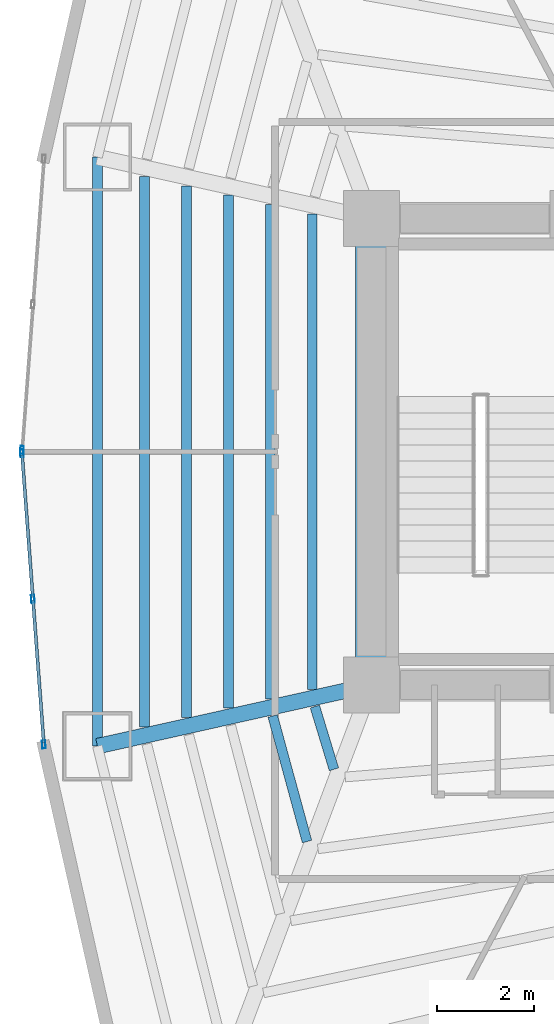
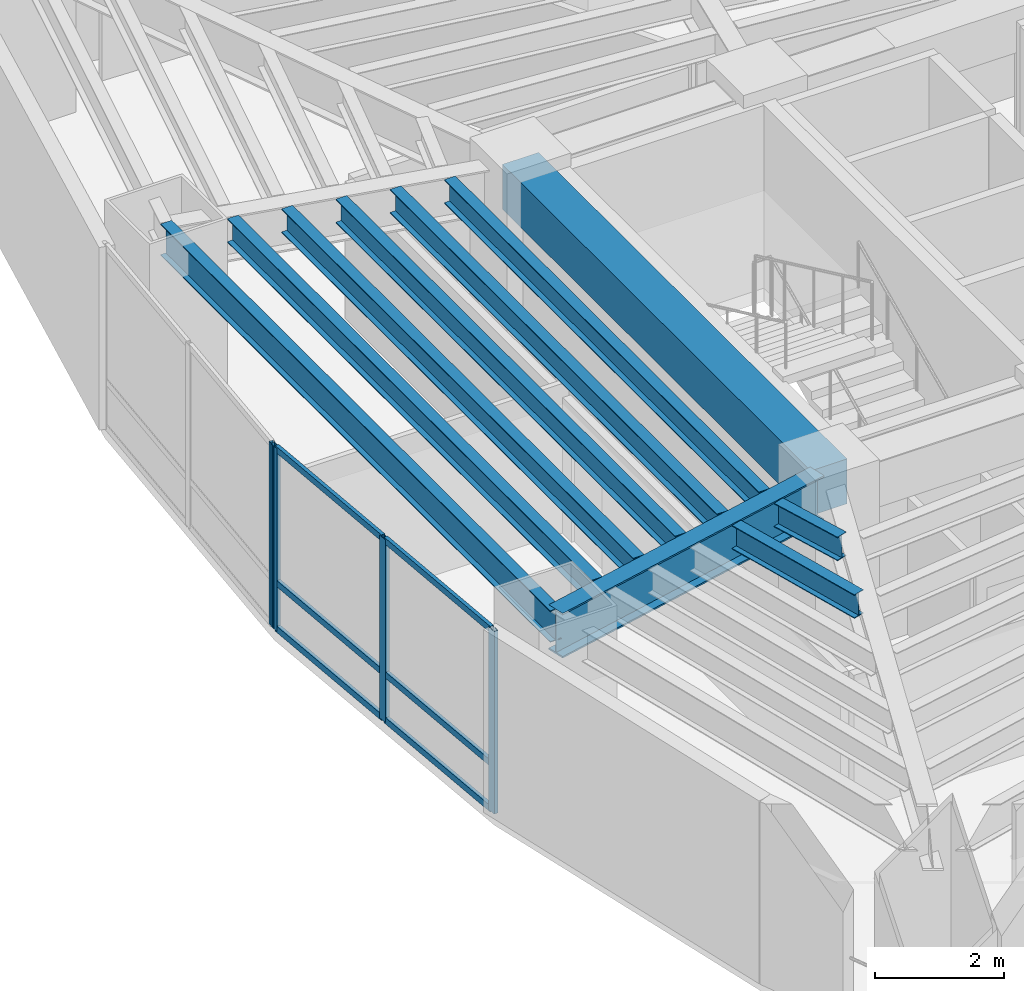
# One storey, part 3 of 18: 10 beams, 10 members, 2 elements without a shape of their own.
"""IFC4 building model written with IfcOpenShell, lengths in metres."""

import ifcopenshell
import ifcopenshell.guid

model = None  # the IFC model being written
_history = None  # IfcOwnerHistory: only IFC2X3 demands one
_inside = {}  # id of a spatial element -> (the spatial element, [elements in it])
_under = {}  # id of a project, library or spatial element -> (it, [spatial elements below it])
_declared = {}  # id of a project -> (the project, [libraries it declares])
_typed = {}  # id of a type object -> (the type object, [elements of that type])
_made_of = {}  # id of a material, layer set ... -> (it, [elements and type objects made of it])


def new_model(schema):
    """Start an empty IFC model of exactly this schema.

    Asked for "IFC4X3", IfcOpenShell would pick the latest addendum, in which some entities
    have other attributes; the version numbers below select the first issue.
    IFC2X3 requires an IfcOwnerHistory on every rooted entity: one is made here for all.
    """
    global model, _history
    if schema == "IFC4X3":
        model = ifcopenshell.file(schema_version=(4, 3, 0, 0))
    else:
        model = ifcopenshell.file(schema=schema)
    _inside.clear()
    _under.clear()
    _declared.clear()
    _typed.clear()
    _made_of.clear()
    _history = None
    if model.schema == "IFC2X3":
        org = make("IfcOrganization", Name="unknown")
        user = make(
            "IfcPersonAndOrganization",
            ThePerson=make("IfcPerson", FamilyName="unknown"),
            TheOrganization=org,
        )
        app = make(
            "IfcApplication",
            ApplicationDeveloper=org,
            Version="unknown",
            ApplicationFullName="unknown",
            ApplicationIdentifier="unknown",
        )
        _history = make(
            "IfcOwnerHistory",
            OwningUser=user,
            OwningApplication=app,
            ChangeAction="ADDED",
            CreationDate=0,
        )
    return model


def make(cls, **values):
    """One entity of the class cls with the attributes given. An attribute that is None is left unset."""
    return model.create_entity(
        cls, **{name: value for name, value in values.items() if value is not None}
    )


def rooted(cls, **values):
    """An entity with a GlobalId (a new one), such as an element, a storey or a relation."""
    return make(cls, GlobalId=ifcopenshell.guid.new(), OwnerHistory=_history, **values)


def si_unit(unit_type, name, prefix=None):
    """IfcSIUnit, for example si_unit("LENGTHUNIT", "METRE", prefix="MILLI")."""
    return make("IfcSIUnit", UnitType=unit_type, Prefix=prefix, Name=name)


def assignment(units):
    """IfcUnitAssignment: the units of a project."""
    return None if units is None else make("IfcUnitAssignment", Units=units)


def point(xyz):
    """IfcCartesianPoint."""
    return None if xyz is None else make("IfcCartesianPoint", Coordinates=xyz)


def direction(xyz):
    """IfcDirection."""
    return None if xyz is None else make("IfcDirection", DirectionRatios=xyz)


def frame(location, z_axis=None, x_axis=None):
    """IfcAxis2Placement3D, a coordinate frame: its origin and axes. An axis left out is left unset."""
    return make(
        "IfcAxis2Placement3D",
        Location=point(location),
        Axis=direction(z_axis),
        RefDirection=direction(x_axis),
    )


def frame_2d(location, x_axis=None):
    """IfcAxis2Placement2D, a coordinate frame in the plane: its origin and x axis."""
    return make(
        "IfcAxis2Placement2D", Location=point(location), RefDirection=direction(x_axis)
    )


def origin():
    """The frame at (0, 0, 0) with its axes left unset."""
    return frame((0.0, 0.0, 0.0))


def origin_2d():
    """The frame at (0, 0) in the plane with its x axis left unset."""
    return frame_2d((0.0, 0.0))


def place(relative_to, where):
    """IfcLocalPlacement: puts the frame where relative to a parent placement (None: the world)."""
    return make(
        "IfcLocalPlacement", PlacementRelTo=relative_to, RelativePlacement=where
    )


def context(
    kind, dimensions, precision=None, world=None, true_north=None, identifier=None
):
    """IfcGeometricRepresentationContext, for example the 3D "Model" context."""
    return make(
        "IfcGeometricRepresentationContext",
        ContextIdentifier=identifier,
        ContextType=kind,
        CoordinateSpaceDimension=dimensions,
        Precision=precision,
        WorldCoordinateSystem=world,
        TrueNorth=true_north,
    )


def subcontext(parent, identifier, kind, view, scale=None):
    """IfcGeometricRepresentationSubContext, for example "Body" below "Model"."""
    return make(
        "IfcGeometricRepresentationSubContext",
        ContextIdentifier=identifier,
        ContextType=kind,
        ParentContext=parent,
        TargetScale=scale,
        TargetView=view,
    )


def project(units=None, contexts=None):
    """IfcProject with its units and contexts."""
    return rooted(
        "IfcProject",
        Name="project",
        RepresentationContexts=contexts,
        UnitsInContext=assignment(units),
    )


def spatial(cls, under=None, at=None, **own):
    """A site, building, storey or space (cls), placed at a placement, below another one or the project."""
    s = rooted(cls, ObjectPlacement=at, **own)
    if under is not None:
        _under.setdefault(under.id(), (under, []))[1].append(s)
    return s


def profile(cls, at=None, kind="AREA", **sizes):
    """A parametric profile (cls). Its sizes go by their IFC names, for example OverallWidth=200.0."""
    return make(cls, ProfileType=kind, Position=at, **sizes)


def rectangle(**sizes):
    """IfcRectangleProfileDef."""
    return profile("IfcRectangleProfileDef", **sizes)


def hollow_rectangle(**sizes):
    """IfcRectangleHollowProfileDef."""
    return profile("IfcRectangleHollowProfileDef", **sizes)


def i_section(**sizes):
    """IfcIShapeProfileDef."""
    return profile("IfcIShapeProfileDef", **sizes)


def extrude(swept, where, along, depth):
    """IfcExtrudedAreaSolid: the profile swept, set in the frame where, extruded along a direction by depth."""
    return make(
        "IfcExtrudedAreaSolid",
        SweptArea=swept,
        Position=where,
        ExtrudedDirection=direction(along),
        Depth=depth,
    )


def shape(context_of_items, identifier, shape_type, items):
    """IfcShapeRepresentation: the items that make up one representation, for example the "Body"."""
    return make(
        "IfcShapeRepresentation",
        ContextOfItems=context_of_items,
        RepresentationIdentifier=identifier,
        RepresentationType=shape_type,
        Items=items,
    )


def material(Name=None, Category=None):
    """IfcMaterial."""
    return make("IfcMaterial", Name=Name, Category=Category)


def layer(
    of_material, thickness, ventilated=None, Name=None, Category=None, Priority=None
):
    """IfcMaterialLayer: one layer of a wall or slab, of a material (None: an air gap)."""
    return make(
        "IfcMaterialLayer",
        Material=of_material,
        LayerThickness=thickness,
        IsVentilated=ventilated,
        Name=Name,
        Category=Category,
        Priority=Priority,
    )


def layer_set(layers, Name=None):
    """IfcMaterialLayerSet."""
    return make("IfcMaterialLayerSet", MaterialLayers=layers, LayerSetName=Name)


def material_profile(
    of_material, cross_section, Name=None, Category=None, Priority=None
):
    """IfcMaterialProfile: a cross section and its material."""
    return make(
        "IfcMaterialProfile",
        Name=Name,
        Material=of_material,
        Profile=cross_section,
        Priority=Priority,
        Category=Category,
    )


def profile_set(profiles, Name=None, composite=None):
    """IfcMaterialProfileSet."""
    return make(
        "IfcMaterialProfileSet",
        Name=Name,
        MaterialProfiles=profiles,
        CompositeProfile=composite,
    )


def made_of(thing, what):
    """Note that an element or type object is made of a material, layer set ...; save() writes the relation."""
    if what is not None:
        _made_of.setdefault(what.id(), (what, []))[1].append(thing)
    return thing


def type_object(cls, material=None, **own):
    """A type object (cls), such as IfcWallType, which elements share."""
    return made_of(rooted(cls, **own), material)


def element(
    cls,
    number,
    at=None,
    inside=None,
    cuts=None,
    type_object=None,
    material=None,
    context=None,
    identifier="Body",
    shape_type=None,
    held_by="IfcProductDefinitionShape",
    body=None,
    shapes=None,
    **own,
):
    """One element of the class cls, such as IfcWall. Its Tag is "e" and its number.

    at: its placement. inside: the storey or other place that contains it. cuts: it is an
    opening in that element (IfcRelVoidsElement). A single representation is given by context,
    identifier, shape_type and body (its items); several are given by shapes. held_by: the class
    of the entity that holds the representations. save() writes the other relations.
    """
    e = rooted(cls, Tag="e%d" % number, ObjectPlacement=at, **own)
    if body is not None:
        shapes = [shape(context, identifier, shape_type, body)]
    if shapes is not None:
        e.Representation = make(held_by, Representations=shapes)
    if inside is not None:
        _inside.setdefault(inside.id(), (inside, []))[1].append(e)
    if cuts is not None:
        rooted(
            "IfcRelVoidsElement", RelatingBuildingElement=cuts, RelatedOpeningElement=e
        )
    if type_object is not None:
        _typed.setdefault(type_object.id(), (type_object, []))[1].append(e)
    return made_of(e, material)


def aggregate(whole, parts):
    """IfcRelAggregates: a whole, such as a stair, and the parts it consists of."""
    return rooted("IfcRelAggregates", RelatingObject=whole, RelatedObjects=parts)


def save(model, path):
    """Write the relations noted so far, then the file.

    IfcRelAggregates (storeys below a building ...), IfcRelContainedInSpatialStructure (elements
    in a storey), IfcRelDefinesByType, IfcRelAssociatesMaterial and IfcRelDeclares: one each for
    every whole, place, type object, material and project.
    """
    for whole, parts in _under.values():
        aggregate(whole, parts)
    for where, things in _inside.values():
        rooted(
            "IfcRelContainedInSpatialStructure",
            RelatedElements=things,
            RelatingStructure=where,
        )
    for kind, things in _typed.values():
        rooted("IfcRelDefinesByType", RelatedObjects=things, RelatingType=kind)
    for what, things in _made_of.values():
        rooted("IfcRelAssociatesMaterial", RelatedObjects=things, RelatingMaterial=what)
    for by, libraries in _declared.values():
        rooted("IfcRelDeclares", RelatingContext=by, RelatedDefinitions=libraries)
    model.write(path)


model = new_model("IFC4")

# Units and contexts
model_context = context("Model", 3, precision=1e-05, world=origin(), true_north=direction((0.0, 1.0)))
body_context = subcontext(model_context, "Body", "Model", "MODEL_VIEW")
ifc_project = project(units=[si_unit("LENGTHUNIT", "METRE"), si_unit("AREAUNIT", "SQUARE_METRE"), si_unit("VOLUMEUNIT", "CUBIC_METRE"), si_unit("PLANEANGLEUNIT", "RADIAN"), si_unit("MASSUNIT", "GRAM", prefix="KILO")], contexts=[model_context])

# Site, building, storey
site_placement = place(None, origin())
site = spatial("IfcSite", under=ifc_project, at=site_placement, CompositionType="ELEMENT")
building_placement = place(site_placement, origin())
building = spatial("IfcBuilding", under=site, at=building_placement, Name="Menara Vayukalpa", CompositionType="ELEMENT")
storey_placement = place(building_placement, frame((0.0, 0.0, 35.0400390625)))
storey = spatial("IfcBuildingStorey", under=building, at=storey_placement, Name="L07", CompositionType="ELEMENT", Elevation=35.0400390625)

# Beams
ifc_material_1 = material(Name="Concrete C60/75", Category="concrete")
ifc_material_profile_1 = material_profile(ifc_material_1, rectangle(XDim=0.64990234375, YDim=0.85009765625, at=origin_2d()), Name="RC 650x850")
ifc_profile_set_1 = profile_set([ifc_material_profile_1], Name="Concrete C60/75")
beam_type_1 = type_object("IfcBeamType", Name="BM-CB1", PredefinedType="BEAM", material=ifc_profile_set_1)
beam_1_placement = place(storey_placement, frame((17.800048828125, 17.199951171875, 3.044921875), z_axis=(0.0, 1.0, 0.0), x_axis=(-1.0, 0.0, 0.0)))
element("IfcBeam", 1, at=beam_1_placement, inside=storey, type_object=beam_type_1, Name="L07 Core Tie Beam CBR7", PredefinedType="BEAM", context=body_context, shape_type="SweptSolid", body=[
    extrude(rectangle(XDim=0.64990234375, YDim=0.85009765625, at=origin_2d()), origin(), (0.0, 0.0, 1.0), 9.60009765625),
])
ifc_material_2 = material(Name="Steel S355", Category="steel")
ifc_material_profile_2 = material_profile(ifc_material_2, i_section(OverallWidth=0.320068359375, OverallDepth=0.85009765625, WebThickness=0.01611328125, FlangeThickness=0.030029296875, at=origin_2d()), Name="WF 850x320x16x30")
ifc_profile_set_2 = profile_set([ifc_material_profile_2], Name="Steel S355")
beam_type_2 = type_object("IfcBeamType", Name="BM-PG2", PredefinedType="BEAM", material=ifc_profile_set_2)
beam_2_placement = place(storey_placement, frame((17.555908203125, 17.1455078125, 3.044921875), z_axis=(-0.975920137818, -0.218128138031, 0.0), x_axis=(0.218128138031, -0.975920137818, 0.0)))
element("IfcBeam", 2, at=beam_2_placement, inside=storey, type_object=beam_type_2, Name="L07 Primary Radial Girder RG06", PredefinedType="BEAM", context=body_context, shape_type="SweptSolid", body=[
    extrude(i_section(OverallWidth=0.320068359375, OverallDepth=0.85009765625, WebThickness=0.01611328125, FlangeThickness=0.030029296875, at=origin_2d()), origin(), (0.0, 0.0, 1.0), 5.524658203125),
])
ifc_material_3 = material(Name="Steel S355", Category="steel")
ifc_material_profile_3 = material_profile(ifc_material_3, i_section(OverallWidth=0.199951171875, OverallDepth=0.449951171875, WebThickness=0.009033203125, FlangeThickness=0.013916015625, at=origin_2d()), Name="WF 450x200x9x14")
ifc_profile_set_3 = profile_set([ifc_material_profile_3], Name="Steel S355")
beam_type_3 = type_object("IfcBeamType", Name="BM-SJ1", PredefinedType="JOIST", material=ifc_profile_set_3)
beam_3_placement = place(storey_placement, frame((16.58544921875, 26.891357421875, 3.244873046875), z_axis=(0.0, -1.0, 0.0), x_axis=(1.0, 0.0, 0.0)))
element("IfcBeam", 3, at=beam_3_placement, inside=storey, type_object=beam_type_3, Name="L07 Secondary Floor Joist SJ05-1", PredefinedType="JOIST", context=body_context, shape_type="SweptSolid", body=[
    extrude(i_section(OverallWidth=0.199951171875, OverallDepth=0.449951171875, WebThickness=0.009033203125, FlangeThickness=0.013916015625, at=origin_2d()), origin(), (0.0, 0.0, 1.0), 9.78271484375),
])
beam_4_placement = place(storey_placement, frame((15.722900390625, 27.084228515625, 3.244873046875), z_axis=(0.0, -1.0, 0.0), x_axis=(1.0, 0.0, 0.0)))
element("IfcBeam", 4, at=beam_4_placement, inside=storey, type_object=beam_type_3, Name="L07 Secondary Floor Joist SJ05-2", PredefinedType="JOIST", context=body_context, shape_type="SweptSolid", body=[
    extrude(i_section(OverallWidth=0.199951171875, OverallDepth=0.449951171875, WebThickness=0.009033203125, FlangeThickness=0.013916015625, at=origin_2d()), origin(), (0.0, 0.0, 1.0), 10.16845703125),
])
beam_5_placement = place(storey_placement, frame((14.860107421875, 27.277099609375, 3.244873046875), z_axis=(0.0, -1.0, 0.0), x_axis=(1.0, 0.0, 0.0)))
element("IfcBeam", 5, at=beam_5_placement, inside=storey, type_object=beam_type_3, Name="L07 Secondary Floor Joist SJ05-3", PredefinedType="JOIST", context=body_context, shape_type="SweptSolid", body=[
    extrude(i_section(OverallWidth=0.199951171875, OverallDepth=0.449951171875, WebThickness=0.009033203125, FlangeThickness=0.013916015625, at=origin_2d()), origin(), (0.0, 0.0, 1.0), 10.55419921875),
])
beam_6_placement = place(storey_placement, frame((13.997314453125, 27.469970703125, 3.244873046875), z_axis=(0.0, -1.0, 0.0), x_axis=(1.0, 0.0, 0.0)))
element("IfcBeam", 6, at=beam_6_placement, inside=storey, type_object=beam_type_3, Name="L07 Secondary Floor Joist SJ05-4", PredefinedType="JOIST", context=body_context, shape_type="SweptSolid", body=[
    extrude(i_section(OverallWidth=0.199951171875, OverallDepth=0.449951171875, WebThickness=0.009033203125, FlangeThickness=0.013916015625, at=origin_2d()), origin(), (0.0, 0.0, 1.0), 10.93994140625),
])
beam_7_placement = place(storey_placement, frame((13.134765625, 27.66259765625, 3.244873046875), z_axis=(0.0, -1.0, 0.0), x_axis=(1.0, 0.0, 0.0)))
element("IfcBeam", 7, at=beam_7_placement, inside=storey, type_object=beam_type_3, Name="L07 Secondary Floor Joist SJ05-5", PredefinedType="JOIST", context=body_context, shape_type="SweptSolid", body=[
    extrude(i_section(OverallWidth=0.199951171875, OverallDepth=0.449951171875, WebThickness=0.009033203125, FlangeThickness=0.013916015625, at=origin_2d()), origin(), (0.0, 0.0, 1.0), 11.3251953125),
])
beam_8_placement = place(storey_placement, frame((16.6376953125, 16.75634765625, 3.244873046875), z_axis=(0.291010568606, -0.956719838281, 0.0), x_axis=(0.956719838281, 0.291010568606, 0.0)))
element("IfcBeam", 8, at=beam_8_placement, inside=storey, type_object=beam_type_3, Name="L07 Secondary Floor Joist SJ06-1", PredefinedType="JOIST", context=body_context, shape_type="SweptSolid", body=[
    extrude(i_section(OverallWidth=0.199951171875, OverallDepth=0.449951171875, WebThickness=0.009033203125, FlangeThickness=0.013916015625, at=origin_2d()), origin(), (0.0, 0.0, 1.0), 1.3505859375),
])
beam_9_placement = place(storey_placement, frame((15.770263671875, 16.56201171875, 3.244873046875), z_axis=(0.263618546233, -0.964627006714, 0.0), x_axis=(0.964627006714, 0.263618546233, 0.0)))
element("IfcBeam", 9, at=beam_9_placement, inside=storey, type_object=beam_type_3, Name="L07 Secondary Floor Joist SJ06-2", PredefinedType="JOIST", context=body_context, shape_type="SweptSolid", body=[
    extrude(i_section(OverallWidth=0.199951171875, OverallDepth=0.449951171875, WebThickness=0.009033203125, FlangeThickness=0.013916015625, at=origin_2d()), origin(), (0.0, 0.0, 1.0), 2.67919921875),
])
ifc_material_4 = material(Name="Steel S355", Category="steel")
ifc_material_profile_4 = material_profile(ifc_material_4, i_section(OverallWidth=0.199951171875, OverallDepth=0.60009765625, WebThickness=0.010986328125, FlangeThickness=0.01708984375, at=origin_2d()), Name="WF 600x200x11x17")
ifc_profile_set_4 = profile_set([ifc_material_profile_4], Name="Steel S355")
beam_type_4 = type_object("IfcBeamType", Name="BM-SP1", PredefinedType="SPANDREL", material=ifc_profile_set_4)
beam_10_placement = place(storey_placement, frame((12.164306640625, 28.0595703125, 3.169921875), z_axis=(0.0, -1.0, 0.0), x_axis=(1.0, 0.0, 0.0)))
element("IfcBeam", 10, at=beam_10_placement, inside=storey, type_object=beam_type_4, Name="L07 Perimeter Spandrel Beam SP05", PredefinedType="SPANDREL", context=body_context, shape_type="SweptSolid", body=[
    extrude(i_section(OverallWidth=0.199951171875, OverallDepth=0.60009765625, WebThickness=0.010986328125, FlangeThickness=0.01708984375, at=origin_2d()), origin(), (0.0, 0.0, 1.0), 12.119140625),
])

# Curtain wall, member
ifc_material_5 = material(Name="Anodised Terracotta Aluminium Alloy 6063-T6", Category="masonry")
ifc_layer = layer(ifc_material_5, 0.1650390625)
ifc_layer_set = layer_set([ifc_layer], Name="Anodised Terracotta Aluminium Alloy 6063-T6")
curtain_wall_type = type_object("IfcCurtainWallType", Name="CW-CW2", PredefinedType="USERDEFINED", material=ifc_layer_set)
curtain_wall_1_placement = place(storey_placement, origin())
curtain_wall_1 = element("IfcCurtainWall", 11, at=curtain_wall_1_placement, inside=storey, type_object=curtain_wall_type, Name="L07 Low Rise Terracotta Ribbon Curtain Wall CW2 10", ObjectType="UNITISED", PredefinedType="USERDEFINED")
ifc_material_6 = material(Name="Anodised Terracotta Aluminium Alloy 6063-T6", Category="masonry")
ifc_material_profile_5 = material_profile(ifc_material_6, hollow_rectangle(XDim=0.070068359375, YDim=0.1650390625, WallThickness=0.00390625, at=origin_2d()), Name="ALU 70x165x4")
ifc_profile_set_5 = profile_set([ifc_material_profile_5], Name="Anodised Terracotta Aluminium Alloy 6063-T6")
member_type_1 = type_object("IfcMemberType", Name="CWM-CW2", PredefinedType="MULLION", material=ifc_profile_set_5)
member_1_placement = place(storey_placement, frame((10.6123046875, 22.034912109375, 0.0), z_axis=(0.0, 0.0, 1.0), x_axis=(0.997198941676, -0.074794857576, 0.0)))
member_1 = element("IfcMember", 12, at=member_1_placement, type_object=member_type_1, Name="CW2 mullion 3", PredefinedType="MULLION", context=body_context, shape_type="SweptSolid", body=[
    extrude(hollow_rectangle(XDim=0.070068359375, YDim=0.1650390625, WallThickness=0.00390625, at=origin_2d()), origin(), (0.0, 0.0, 1.0), 3.469970703125),
])
aggregate(curtain_wall_1, [member_1])

# Curtain wall, members
curtain_wall_2_placement = place(storey_placement, origin())
curtain_wall_2 = element("IfcCurtainWall", 13, at=curtain_wall_2_placement, inside=storey, type_object=curtain_wall_type, Name="L07 Low Rise Terracotta Ribbon Curtain Wall CW2 11", ObjectType="UNITISED", PredefinedType="USERDEFINED")
member_2_placement = place(storey_placement, frame((10.6123046875, 21.965087890625, 0.0), z_axis=(0.0, 0.0, 1.0), x_axis=(0.997198941676, 0.074794857576, 0.0)))
member_2 = element("IfcMember", 14, at=member_2_placement, type_object=member_type_1, Name="CW2 mullion 1", PredefinedType="MULLION", context=body_context, shape_type="SweptSolid", body=[
    extrude(hollow_rectangle(XDim=0.070068359375, YDim=0.1650390625, WallThickness=0.00390625, at=origin_2d()), origin(), (0.0, 0.0, 1.0), 3.469970703125),
])
member_3_placement = place(storey_placement, frame((10.8369140625, 18.97021484375, 0.0), z_axis=(0.0, 0.0, 1.0), x_axis=(0.997198941676, 0.074794857576, 0.0)))
member_3 = element("IfcMember", 15, at=member_3_placement, type_object=member_type_1, Name="CW2 mullion 2", PredefinedType="MULLION", context=body_context, shape_type="SweptSolid", body=[
    extrude(hollow_rectangle(XDim=0.070068359375, YDim=0.1650390625, WallThickness=0.00390625, at=origin_2d()), origin(), (0.0, 0.0, 1.0), 3.469970703125),
])
member_4_placement = place(storey_placement, frame((11.0615234375, 15.975341796875, 0.0), z_axis=(0.0, 0.0, 1.0), x_axis=(0.997198941676, 0.074794857576, 0.0)))
member_4 = element("IfcMember", 16, at=member_4_placement, type_object=member_type_1, Name="CW2 mullion 3", PredefinedType="MULLION", context=body_context, shape_type="SweptSolid", body=[
    extrude(hollow_rectangle(XDim=0.070068359375, YDim=0.1650390625, WallThickness=0.00390625, at=origin_2d()), origin(), (0.0, 0.0, 1.0), 3.469970703125),
])
ifc_material_7 = material(Name="Anodised Terracotta Aluminium Alloy 6063-T6", Category="masonry")
ifc_material_profile_6 = material_profile(ifc_material_7, hollow_rectangle(XDim=0.06494140625, YDim=0.1201171875, WallThickness=0.00341796875, at=origin_2d()), Name="ALU 65x120x3.5")
ifc_profile_set_6 = profile_set([ifc_material_profile_6], Name="Anodised Terracotta Aluminium Alloy 6063-T6")
member_type_2 = type_object("IfcMemberType", Name="CWT-CW2", PredefinedType="USERDEFINED", material=ifc_profile_set_6)
member_5_placement = place(storey_placement, frame((10.614990234375, 21.93017578125, 0.032470703125), z_axis=(0.074742357441, -0.997202878057, 0.0), x_axis=(0.997202878057, 0.074742357441, 0.0)))
member_5 = element("IfcMember", 17, at=member_5_placement, type_object=member_type_2, Name="CW2 transom 1.1", ObjectType="TRANSOM", PredefinedType="USERDEFINED", context=body_context, shape_type="SweptSolid", body=[
    extrude(hollow_rectangle(XDim=0.06494140625, YDim=0.1201171875, WallThickness=0.00341796875, at=origin_2d()), origin(), (0.0, 0.0, 1.0), 2.933349609375),
])
member_6_placement = place(storey_placement, frame((10.614990234375, 21.93017578125, 0.89990234375), z_axis=(0.074742357441, -0.997202878057, 0.0), x_axis=(0.997202878057, 0.074742357441, 0.0)))
member_6 = element("IfcMember", 18, at=member_6_placement, type_object=member_type_2, Name="CW2 transom 1.2", ObjectType="TRANSOM", PredefinedType="USERDEFINED", context=body_context, shape_type="SweptSolid", body=[
    extrude(hollow_rectangle(XDim=0.06494140625, YDim=0.1201171875, WallThickness=0.00341796875, at=origin_2d()), origin(), (0.0, 0.0, 1.0), 2.933349609375),
])
member_7_placement = place(storey_placement, frame((10.614990234375, 21.93017578125, 3.4375), z_axis=(0.074742357441, -0.997202878057, 0.0), x_axis=(0.997202878057, 0.074742357441, 0.0)))
member_7 = element("IfcMember", 19, at=member_7_placement, type_object=member_type_2, Name="CW2 transom 1.3", ObjectType="TRANSOM", PredefinedType="USERDEFINED", context=body_context, shape_type="SweptSolid", body=[
    extrude(hollow_rectangle(XDim=0.06494140625, YDim=0.1201171875, WallThickness=0.00341796875, at=origin_2d()), origin(), (0.0, 0.0, 1.0), 2.933349609375),
])
member_8_placement = place(storey_placement, frame((10.839599609375, 18.935302734375, 0.032470703125), z_axis=(0.074825123723, -0.997196671103, 0.0), x_axis=(0.997196671103, 0.074825123723, 0.0)))
member_8 = element("IfcMember", 20, at=member_8_placement, type_object=member_type_2, Name="CW2 transom 2.1", ObjectType="TRANSOM", PredefinedType="USERDEFINED", context=body_context, shape_type="SweptSolid", body=[
    extrude(hollow_rectangle(XDim=0.06494140625, YDim=0.1201171875, WallThickness=0.00341796875, at=origin_2d()), origin(), (0.0, 0.0, 1.0), 2.933349609375),
])
member_9_placement = place(storey_placement, frame((10.839599609375, 18.935302734375, 0.89990234375), z_axis=(0.074825123723, -0.997196671103, 0.0), x_axis=(0.997196671103, 0.074825123723, 0.0)))
member_9 = element("IfcMember", 21, at=member_9_placement, type_object=member_type_2, Name="CW2 transom 2.2", ObjectType="TRANSOM", PredefinedType="USERDEFINED", context=body_context, shape_type="SweptSolid", body=[
    extrude(hollow_rectangle(XDim=0.06494140625, YDim=0.1201171875, WallThickness=0.00341796875, at=origin_2d()), origin(), (0.0, 0.0, 1.0), 2.933349609375),
])
member_10_placement = place(storey_placement, frame((10.839599609375, 18.935302734375, 3.4375), z_axis=(0.074825123723, -0.997196671103, 0.0), x_axis=(0.997196671103, 0.074825123723, 0.0)))
member_10 = element("IfcMember", 22, at=member_10_placement, type_object=member_type_2, Name="CW2 transom 2.3", ObjectType="TRANSOM", PredefinedType="USERDEFINED", context=body_context, shape_type="SweptSolid", body=[
    extrude(hollow_rectangle(XDim=0.06494140625, YDim=0.1201171875, WallThickness=0.00341796875, at=origin_2d()), origin(), (0.0, 0.0, 1.0), 2.933349609375),
])
aggregate(curtain_wall_2, [member_2, member_3, member_4, member_5, member_6, member_7, member_8, member_9, member_10])

save(model, "model.ifc")
